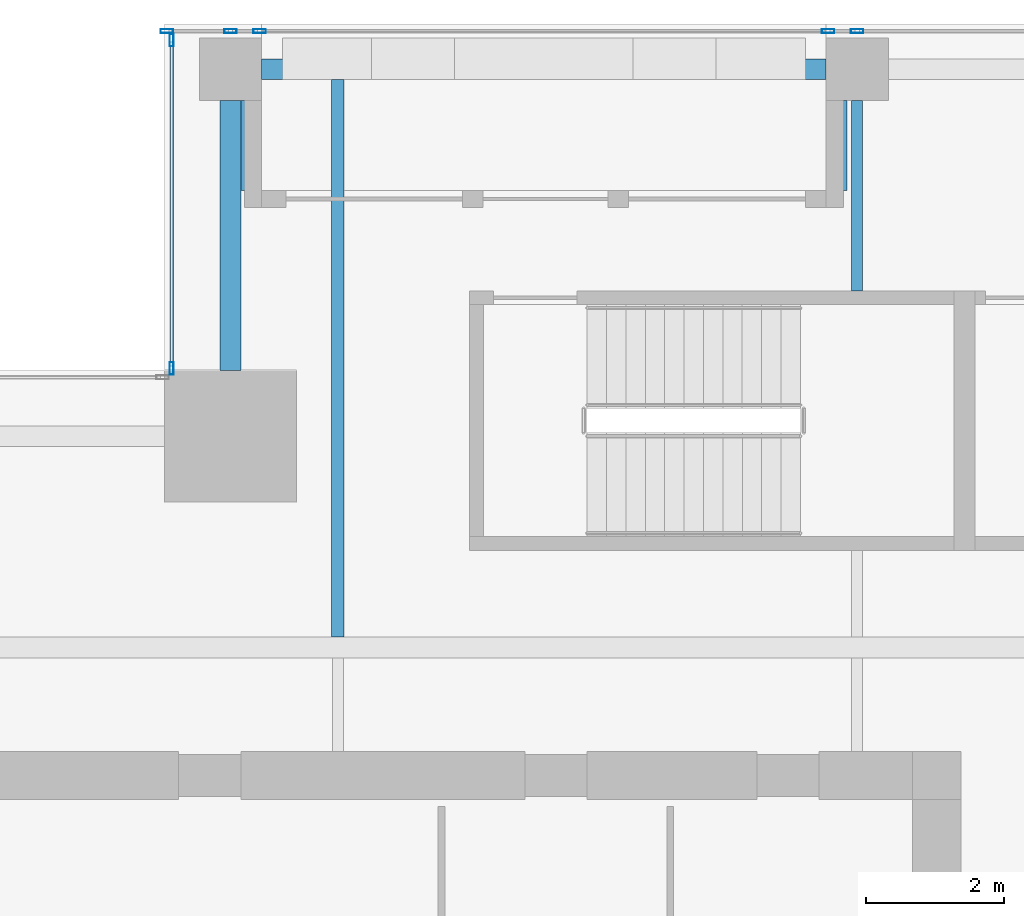
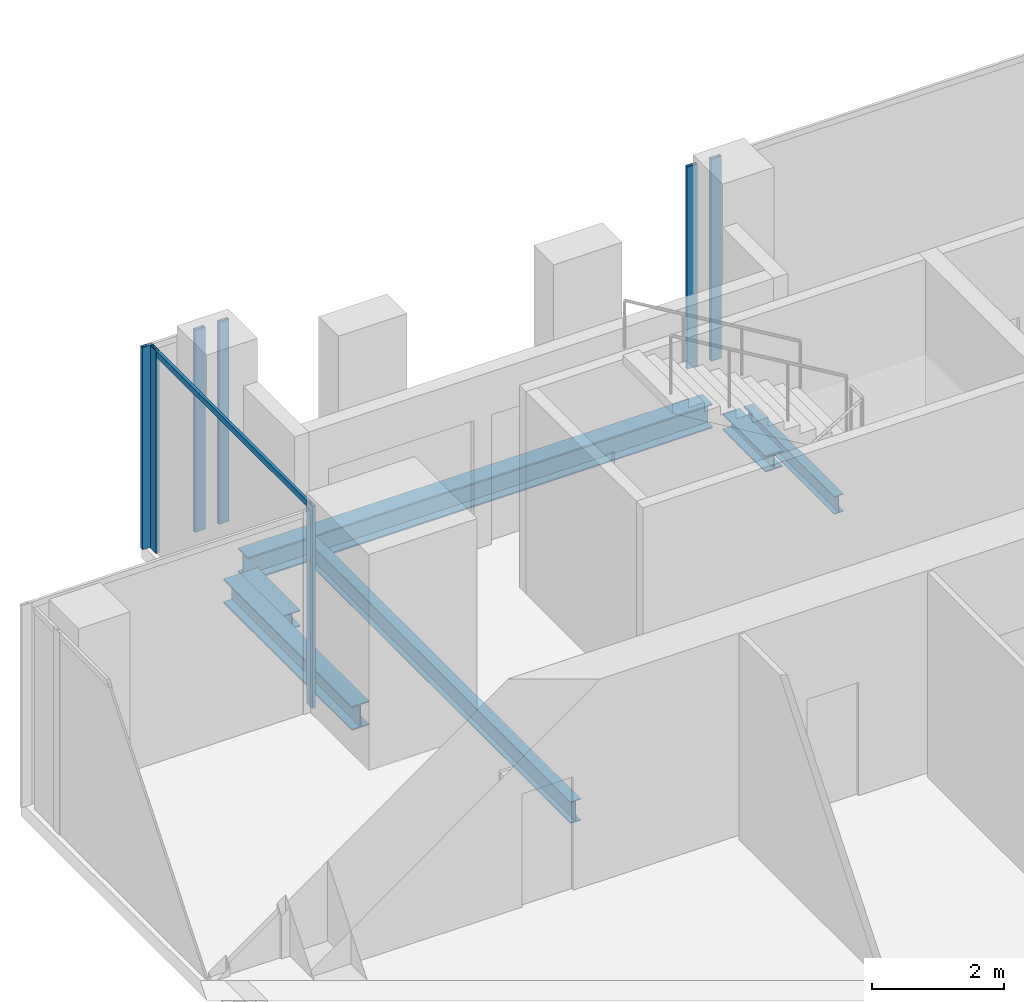
# One storey, part 18 of 35: 8 members, 6 beams, 3 elements without a shape of their own.
"""IFC4 building model written with IfcOpenShell, lengths in metres."""

from ifc_helpers import new_model, si_unit, direction, frame, origin, origin_2d, place, context, subcontext, project, spatial, hollow_rectangle, i_section, extrude, source, transform, mapped, material, material_profile, profile_set, type_object, element, aggregate, save


model = new_model("IFC4")

# Units and contexts
model_context = context("Model", 3, precision=1e-05, world=origin(), true_north=direction((0.0, 1.0)))
body_context = subcontext(model_context, "Body", "Model", "MODEL_VIEW")
ifc_project = project(units=[si_unit("LENGTHUNIT", "METRE"), si_unit("AREAUNIT", "SQUARE_METRE"), si_unit("VOLUMEUNIT", "CUBIC_METRE"), si_unit("PLANEANGLEUNIT", "RADIAN"), si_unit("MASSUNIT", "GRAM", prefix="KILO")], contexts=[model_context])

# Site, building, storey
site_placement = place(None, origin())
site = spatial("IfcSite", under=ifc_project, at=site_placement, CompositionType="ELEMENT")
building_placement = place(site_placement, origin())
building = spatial("IfcBuilding", under=site, at=building_placement, Name="Khomas Fold Tower", CompositionType="ELEMENT")
storey_placement = place(building_placement, frame((0.0, 0.0, 270.199951171875)))
storey = spatial("IfcBuildingStorey", under=building, at=storey_placement, Name="L61", CompositionType="ELEMENT", Elevation=270.199951171875)

# Beams
ifc_material_1 = material(Name="Steel S355", Category="steel")
ifc_material_profile_1 = material_profile(ifc_material_1, i_section(OverallWidth=0.159912109375, OverallDepth=0.330078125, WebThickness=0.007568359375, FlangeThickness=0.011474609375, at=origin_2d()), Name="IPE 330")
ifc_profile_set_1 = profile_set([ifc_material_profile_1], Name="Steel S355")
beam_type_1 = type_object("IfcBeamType", Name="IPE 330 beam JB1", PredefinedType="BEAM", material=ifc_profile_set_1)
shared_shape_1 = source(origin(), body_context, "Body", "SweptSolid", [
    extrude(i_section(OverallWidth=0.159912109375, OverallDepth=0.330078125, WebThickness=0.007568359375, FlangeThickness=0.011474609375, at=origin_2d()), origin(), (0.0, 0.0, 1.0), 2.75),
])
beam_1_placement = place(storey_placement, frame((19.5, 45.64990234375, -0.4150390625), z_axis=(0.0, 1.0, 0.0), x_axis=(-1.0, 0.0, 0.0)))
element("IfcBeam", 1, at=beam_1_placement, inside=storey, type_object=beam_type_1, Name="JB1", PredefinedType="BEAM", context=body_context, shape_type="MappedRepresentation", body=[
    mapped(shared_shape_1, transform((0.0, 0.0, 0.0))),
])
ifc_material_2 = material(Name="Steel S355", Category="steel")
ifc_material_profile_2 = material_profile(ifc_material_2, i_section(OverallWidth=0.300048828125, OverallDepth=0.449951171875, WebThickness=0.013916015625, FlangeThickness=0.02587890625, at=origin_2d()), Name="HE 450 B")
ifc_profile_set_2 = profile_set([ifc_material_profile_2], Name="Steel S355")
beam_type_2 = type_object("IfcBeamType", Name="HE 450 B spandrel SB4", PredefinedType="SPANDREL", material=ifc_profile_set_2)
shared_shape_2 = source(origin(), body_context, "Body", "SweptSolid", [
    extrude(i_section(OverallWidth=0.300048828125, OverallDepth=0.449951171875, WebThickness=0.013916015625, FlangeThickness=0.02587890625, at=origin_2d()), origin(), (0.0, 0.0, 1.0), 8.150146484375),
])
beam_2_placement = place(storey_placement, frame((10.89990234375, 48.85009765625, -0.474853515625), z_axis=(1.0, 0.0, 0.0), x_axis=(0.0, 1.0, 0.0)))
element("IfcBeam", 2, at=beam_2_placement, inside=storey, type_object=beam_type_2, Name="SB4", PredefinedType="SPANDREL", context=body_context, shape_type="MappedRepresentation", body=[
    mapped(shared_shape_2, transform((0.0, 0.0, 0.0))),
])
shared_shape_3 = source(origin(), body_context, "Body", "SweptSolid", [
    extrude(i_section(OverallWidth=0.300048828125, OverallDepth=0.449951171875, WebThickness=0.013916015625, FlangeThickness=0.02587890625, at=origin_2d()), origin(), (0.0, 0.0, 1.0), 3.89990234375),
])
beam_3_placement = place(storey_placement, frame((10.449951171875, 44.5, -0.474853515625), z_axis=(0.0, 1.0, 0.0), x_axis=(-1.0, 0.0, 0.0)))
element("IfcBeam", 3, at=beam_3_placement, inside=storey, type_object=beam_type_2, Name="SB4", PredefinedType="SPANDREL", context=body_context, shape_type="MappedRepresentation", body=[
    mapped(shared_shape_3, transform((0.0, 0.0, 0.0))),
])
ifc_material_3 = material(Name="Steel S355", Category="steel")
ifc_material_profile_3 = material_profile(ifc_material_3, i_section(OverallWidth=0.179931640625, OverallDepth=0.39990234375, WebThickness=0.008544921875, FlangeThickness=0.013427734375, at=origin_2d()), Name="IPE 400")
ifc_profile_set_3 = profile_set([ifc_material_profile_3], Name="Steel S355")
beam_type_3 = type_object("IfcBeamType", Name="IPE 400 beam JB3", PredefinedType="BEAM", material=ifc_profile_set_3)
shared_shape_4 = source(origin(), body_context, "Body", "SweptSolid", [
    extrude(i_section(OverallWidth=0.179931640625, OverallDepth=0.39990234375, WebThickness=0.008544921875, FlangeThickness=0.013427734375, at=origin_2d()), origin(), (0.0, 0.0, 1.0), 8.050048828125),
])
beam_4_placement = place(storey_placement, frame((12.0, 40.64990234375, -0.449951171875), z_axis=(0.0, 1.0, 0.0), x_axis=(-1.0, 0.0, 0.0)))
element("IfcBeam", 4, at=beam_4_placement, inside=storey, type_object=beam_type_3, Name="JB3", PredefinedType="BEAM", context=body_context, shape_type="MappedRepresentation", body=[
    mapped(shared_shape_4, transform((0.0, 0.0, 0.0))),
])
ifc_material_4 = material(Name="Steel S355", Category="steel")
ifc_material_profile_4 = material_profile(ifc_material_4, i_section(OverallWidth=0.300048828125, OverallDepth=0.300048828125, WebThickness=0.010986328125, FlangeThickness=0.01904296875, at=origin_2d()), Name="HE 300 B")
ifc_profile_set_4 = profile_set([ifc_material_profile_4], Name="Steel S355")
beam_type_4 = type_object("IfcBeamType", Name="HE 300 B beam BB1", PredefinedType="BEAM", material=ifc_profile_set_4)
shared_shape_5 = source(origin(), body_context, "Body", "SweptSolid", [
    extrude(i_section(OverallWidth=0.300048828125, OverallDepth=0.300048828125, WebThickness=0.010986328125, FlangeThickness=0.01904296875, at=origin_2d()), origin(), (0.0, 0.0, 1.0), 1.2998046875),
])
for number, where, z_axis, x_axis, name in (
    (5, (10.75, 47.10009765625, -0.39990234375), (0.0, 1.0, 0.0), (-1.0, 0.0, 0.0), "BB1"),
    (6, (19.199951171875, 47.10009765625, -0.39990234375), (0.0, 1.0, 0.0), (-1.0, 0.0, 0.0), "BB1"),
):
    element("IfcBeam", number, at=place(storey_placement, frame(where, z_axis=z_axis, x_axis=x_axis)), inside=storey, type_object=beam_type_4, Name=name, PredefinedType="BEAM", context=body_context, shape_type="MappedRepresentation", body=[
        mapped(shared_shape_5, transform((0.0, 0.0, 0.0))),
    ])

# Curtain wall, members
ifc_material_5 = material(Name="Aluminium framed double glazing", Category="aluminium")
curtain_wall_type = type_object("IfcCurtainWallType", Name="SK-Unitised clear-glass wall, office floors CW2", PredefinedType="NOTDEFINED", material=ifc_material_5)
curtain_wall_1_placement = place(storey_placement, origin())
curtain_wall_1 = element("IfcCurtainWall", 7, at=curtain_wall_1_placement, inside=storey, type_object=curtain_wall_type, Name="CW2 run L61 06-1", PredefinedType="NOTDEFINED")
ifc_material_6 = material(Name="Aluminium", Category="aluminium")
ifc_material_profile_5 = material_profile(ifc_material_6, hollow_rectangle(XDim=0.06005859375, YDim=0.179931640625, WallThickness=0.00390625, at=origin_2d()), Name="SK-Unitised clear-glass wall, office floors mullion CW2-M")
ifc_profile_set_5 = profile_set([ifc_material_profile_5], Name="Aluminium")
member_type_1 = type_object("IfcMemberType", Name="SK-Unitised clear-glass wall, office floors mullion CW2-M", PredefinedType="MULLION", material=ifc_profile_set_5)
shared_shape_6 = source(origin(), body_context, "Body", "SweptSolid", [
    extrude(hollow_rectangle(XDim=0.06005859375, YDim=0.179931640625, WallThickness=0.00390625, at=origin_2d()), origin(), (0.0, 0.0, 1.0), 3.75),
])
member_1_placement = place(storey_placement, frame((19.5, 49.39990234375, 0.0), z_axis=(0.0, 0.0, 1.0), x_axis=(0.0, -1.0, 0.0)))
member_1 = element("IfcMember", 8, at=member_1_placement, type_object=member_type_1, Name="CW2 mullion 3", PredefinedType="MULLION", context=body_context, shape_type="MappedRepresentation", body=[
    mapped(shared_shape_6, transform((0.0, 0.0, 0.0))),
])
member_2_placement = place(storey_placement, frame((19.080078125, 49.39990234375, 0.0), z_axis=(0.0, 0.0, 1.0), x_axis=(0.0, -1.0, 0.0)))
member_2 = element("IfcMember", 9, at=member_2_placement, type_object=member_type_1, Name="CW2 mullion 4", PredefinedType="MULLION", context=body_context, shape_type="MappedRepresentation", body=[
    mapped(shared_shape_6, transform((0.0, 0.0, 0.0))),
])
aggregate(curtain_wall_1, [member_1, member_2])

curtain_wall_2_placement = place(storey_placement, origin())
curtain_wall_2 = element("IfcCurtainWall", 10, at=curtain_wall_2_placement, inside=storey, type_object=curtain_wall_type, Name="CW2 run L61 06-2", PredefinedType="NOTDEFINED")
member_3_placement = place(storey_placement, frame((10.8701171875, 49.39990234375, 0.0), z_axis=(0.0, 0.0, 1.0), x_axis=(0.0, -1.0, 0.0)))
member_3 = element("IfcMember", 11, at=member_3_placement, type_object=member_type_1, Name="CW2 mullion 1", PredefinedType="MULLION", context=body_context, shape_type="MappedRepresentation", body=[
    mapped(shared_shape_6, transform((0.0, 0.0, 0.0))),
])
member_4_placement = place(storey_placement, frame((10.449951171875, 49.39990234375, 0.0), z_axis=(0.0, 0.0, 1.0), x_axis=(0.0, -1.0, 0.0)))
member_4 = element("IfcMember", 12, at=member_4_placement, type_object=member_type_1, Name="CW2 mullion 2", PredefinedType="MULLION", context=body_context, shape_type="MappedRepresentation", body=[
    mapped(shared_shape_6, transform((0.0, 0.0, 0.0))),
])
member_5_placement = place(storey_placement, frame((9.530029296875, 49.39990234375, 0.0), z_axis=(0.0, 0.0, 1.0), x_axis=(0.0, -1.0, 0.0)))
member_5 = element("IfcMember", 13, at=member_5_placement, type_object=member_type_1, Name="CW2 mullion 3", PredefinedType="MULLION", context=body_context, shape_type="MappedRepresentation", body=[
    mapped(shared_shape_6, transform((0.0, 0.0, 0.0))),
])
aggregate(curtain_wall_2, [member_3, member_4, member_5])

curtain_wall_3_placement = place(storey_placement, origin())
curtain_wall_3 = element("IfcCurtainWall", 14, at=curtain_wall_3_placement, inside=storey, type_object=curtain_wall_type, Name="CW2 corner return L61 07", PredefinedType="NOTDEFINED")
member_6_placement = place(storey_placement, frame((9.60009765625, 49.27001953125, 0.0), z_axis=(0.0, 0.0, 1.0), x_axis=(1.0, 0.0, 0.0)))
member_6 = element("IfcMember", 15, at=member_6_placement, type_object=member_type_1, Name="CW2 mullion 1", PredefinedType="MULLION", context=body_context, shape_type="MappedRepresentation", body=[
    mapped(shared_shape_6, transform((0.0, 0.0, 0.0))),
])
member_7_placement = place(storey_placement, frame((9.60009765625, 44.530029296875, 0.0), z_axis=(0.0, 0.0, 1.0), x_axis=(1.0, 0.0, 0.0)))
member_7 = element("IfcMember", 16, at=member_7_placement, type_object=member_type_1, Name="CW2 mullion 2", PredefinedType="MULLION", context=body_context, shape_type="MappedRepresentation", body=[
    mapped(shared_shape_6, transform((0.0, 0.0, 0.0))),
])
ifc_material_7 = material(Name="Aluminium", Category="aluminium")
ifc_material_profile_6 = material_profile(ifc_material_7, hollow_rectangle(XDim=0.050048828125, YDim=0.110107421875, WallThickness=0.00390625, at=origin_2d()), Name="SK-Unitised clear-glass wall, office floors transom CW2-T")
ifc_profile_set_6 = profile_set([ifc_material_profile_6], Name="Aluminium")
member_type_2 = type_object("IfcMemberType", Name="SK-Unitised clear-glass wall, office floors transom CW2-T", PredefinedType="USERDEFINED", material=ifc_profile_set_6)
shared_shape_7 = source(origin(), body_context, "Body", "SweptSolid", [
    extrude(hollow_rectangle(XDim=0.050048828125, YDim=0.110107421875, WallThickness=0.00390625, at=origin_2d()), origin(), (0.0, 0.0, 1.0), 4.679931640625),
])
member_8_placement = place(storey_placement, frame((9.60009765625, 49.239990234375, 3.695068359375), z_axis=(0.0, -1.0, 0.0), x_axis=(1.0, 0.0, 0.0)))
member_8 = element("IfcMember", 17, at=member_8_placement, type_object=member_type_2, Name="CW2 transom 1", ObjectType="TRANSOM", PredefinedType="USERDEFINED", context=body_context, shape_type="MappedRepresentation", body=[
    mapped(shared_shape_7, transform((0.0, 0.0, 0.0))),
])
aggregate(curtain_wall_3, [member_6, member_7, member_8])

save(model, "model.ifc")
